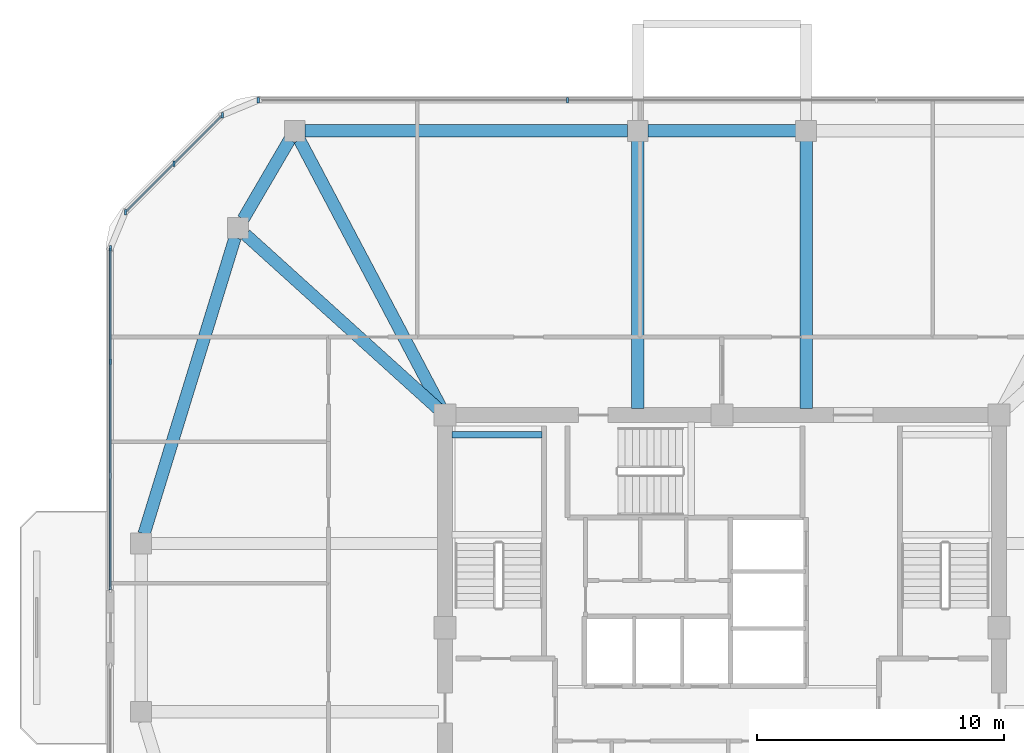
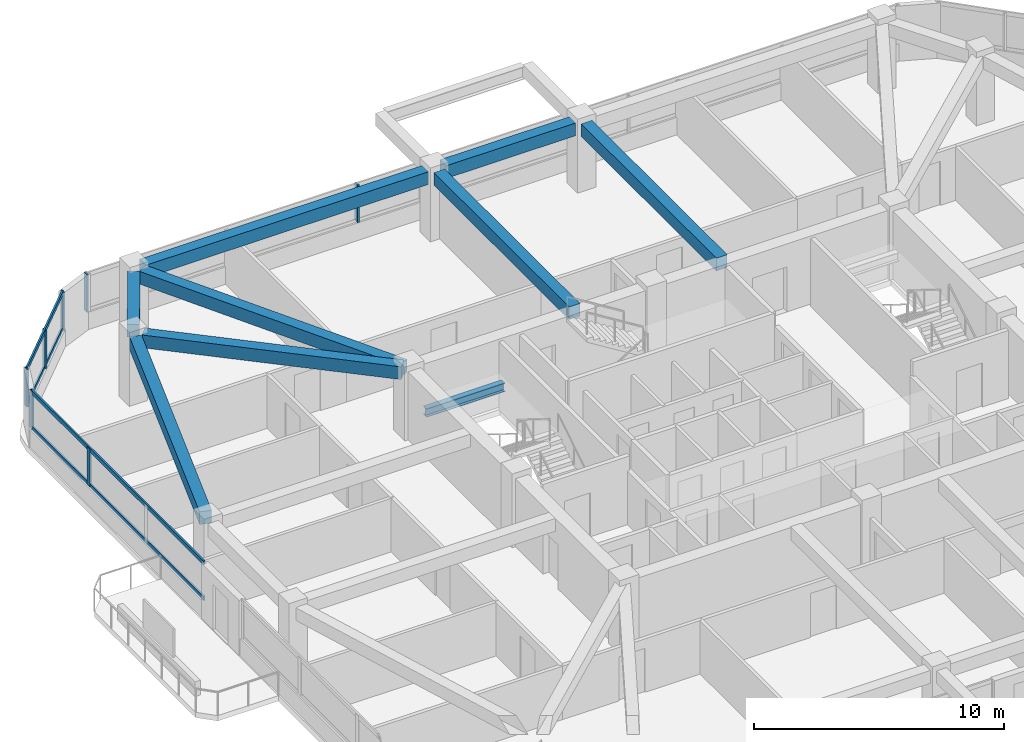
# One storey, part 4 of 13: 11 members, 9 beams, 3 elements without a shape of their own.
"""IFC4 building model written with IfcOpenShell, lengths in metres."""

from ifc_helpers import new_model, si_unit, derived_unit, direction, frame, origin, origin_2d, place, context, subcontext, project, spatial, rectangle, i_section, extrude, material, material_profile, profile_set, type_object, element, aggregate, save


model = new_model("IFC4")

# Units and contexts
model_context = context("Model", 3, precision=1e-05, world=origin(), true_north=direction((0.0, 1.0)))
body_context = subcontext(model_context, "Body", "Model", "MODEL_VIEW")
ifc_project = project(units=[si_unit("LENGTHUNIT", "METRE"), si_unit("AREAUNIT", "SQUARE_METRE"), si_unit("VOLUMEUNIT", "CUBIC_METRE"), si_unit("PLANEANGLEUNIT", "RADIAN"), si_unit("MASSUNIT", "GRAM", prefix="KILO"), derived_unit("THERMALTRANSMITTANCEUNIT", [(si_unit("POWERUNIT", "WATT"), 1), (si_unit("LENGTHUNIT", "METRE"), -2), (si_unit("THERMODYNAMICTEMPERATUREUNIT", "KELVIN"), -1)])], contexts=[model_context])

# Site, building, storey
site_placement = place(None, origin())
site = spatial("IfcSite", under=ifc_project, at=site_placement, CompositionType="ELEMENT")
building_placement = place(site_placement, origin())
building = spatial("IfcBuilding", under=site, at=building_placement, Name="Koralith Skygarden Medical Center", CompositionType="ELEMENT")
storey_placement = place(building_placement, frame((0.0, 0.0, 250.02001953125)))
storey = spatial("IfcBuildingStorey", under=building, at=storey_placement, Name="L64", CompositionType="ELEMENT", Elevation=250.02001953125)

# Curtain wall, members
ifc_material_1 = material(Name="Clear Laminated Glass", Category="glass")
curtain_wall_type = type_object("IfcCurtainWallType", Name="CW-6 Zone 5 Upper Clinical Curtain Wall", PredefinedType="NOTDEFINED", material=ifc_material_1)
curtain_wall_1_placement = place(storey_placement, origin())
curtain_wall_1 = element("IfcCurtainWall", 1, at=curtain_wall_1_placement, inside=storey, type_object=curtain_wall_type, Name="Curtain Wall CW-L64-N", PredefinedType="NOTDEFINED")
ifc_material_2 = material(Name="Aluminium 6063-T6", Category="aluminium")
ifc_material_profile_1 = material_profile(ifc_material_2, rectangle(XDim=0.0830078125, YDim=0.219970703125, at=origin_2d()), Name="MUL83X220")
ifc_profile_set_1 = profile_set([ifc_material_profile_1], Name="Aluminium 6063-T6")
member_type_1 = type_object("IfcMemberType", Name="CW-6 Extruded Mullion 83x220", PredefinedType="MULLION", material=ifc_profile_set_1)
member_1_placement = place(storey_placement, frame((30.751953125, 47.219970703125, 0.85009765625), z_axis=(0.0, 0.0, 1.0), x_axis=(1.0, 0.0, 0.0)))
member_1 = element("IfcMember", 2, at=member_1_placement, type_object=member_type_1, Name="CW-L64-N Mullion 3", PredefinedType="MULLION", context=body_context, shape_type="SweptSolid", body=[
    extrude(rectangle(XDim=0.0830078125, YDim=0.219970703125, at=origin_2d()), origin(), (0.0, 0.0, 1.0), 1.83984375),
])
member_2_placement = place(storey_placement, frame((18.2548828125, 47.219970703125, 0.85009765625), z_axis=(0.0, 0.0, 1.0), x_axis=(1.0, 0.0, 0.0)))
member_2 = element("IfcMember", 3, at=member_2_placement, type_object=member_type_1, Name="CW-L64-N Mullion 4", PredefinedType="MULLION", context=body_context, shape_type="SweptSolid", body=[
    extrude(rectangle(XDim=0.0830078125, YDim=0.219970703125, at=origin_2d()), origin(), (0.0, 0.0, 1.0), 1.83984375),
])
aggregate(curtain_wall_1, [member_1, member_2])

curtain_wall_2_placement = place(storey_placement, origin())
curtain_wall_2 = element("IfcCurtainWall", 4, at=curtain_wall_2_placement, inside=storey, type_object=curtain_wall_type, Name="Curtain Wall CW-L64-NW", PredefinedType="NOTDEFINED")
member_3_placement = place(storey_placement, frame((16.803955078125, 46.618896484375, 0.85009765625), z_axis=(0.0, 0.0, 1.0), x_axis=(1.0, 0.0, 0.0)))
member_3 = element("IfcMember", 5, at=member_3_placement, type_object=member_type_1, Name="CW-L64-NW Mullion 1", PredefinedType="MULLION", context=body_context, shape_type="SweptSolid", body=[
    extrude(rectangle(XDim=0.0830078125, YDim=0.219970703125, at=origin_2d()), origin(), (0.0, 0.0, 1.0), 1.83984375),
])
member_4_placement = place(storey_placement, frame((14.842041015625, 44.656982421875, 0.85009765625), z_axis=(0.0, 0.0, 1.0), x_axis=(1.0, 0.0, 0.0)))
member_4 = element("IfcMember", 6, at=member_4_placement, type_object=member_type_1, Name="CW-L64-NW Mullion 2", PredefinedType="MULLION", context=body_context, shape_type="SweptSolid", body=[
    extrude(rectangle(XDim=0.0830078125, YDim=0.219970703125, at=origin_2d()), origin(), (0.0, 0.0, 1.0), 1.83984375),
])
member_5_placement = place(storey_placement, frame((12.881103515625, 42.696044921875, 0.85009765625), z_axis=(0.0, 0.0, 1.0), x_axis=(1.0, 0.0, 0.0)))
member_5 = element("IfcMember", 7, at=member_5_placement, type_object=member_type_1, Name="CW-L64-NW Mullion 3", PredefinedType="MULLION", context=body_context, shape_type="SweptSolid", body=[
    extrude(rectangle(XDim=0.0830078125, YDim=0.219970703125, at=origin_2d()), origin(), (0.0, 0.0, 1.0), 1.83984375),
])

curtain_wall_3_placement = place(storey_placement, origin())
curtain_wall_3 = element("IfcCurtainWall", 8, at=curtain_wall_3_placement, inside=storey, type_object=curtain_wall_type, Name="Curtain Wall CW-L64-W-L", PredefinedType="NOTDEFINED")
member_6_placement = place(storey_placement, frame((12.280029296875, 41.2451171875, 0.85009765625), z_axis=(0.0, 0.0, 1.0), x_axis=(1.0, 0.0, 0.0)))
member_6 = element("IfcMember", 9, at=member_6_placement, type_object=member_type_1, Name="CW-L64-W-L Mullion 1", PredefinedType="MULLION", context=body_context, shape_type="SweptSolid", body=[
    extrude(rectangle(XDim=0.0830078125, YDim=0.219970703125, at=origin_2d()), origin(), (0.0, 0.0, 1.0), 1.83984375),
])
member_7_placement = place(storey_placement, frame((12.280029296875, 36.64306640625, 0.85009765625), z_axis=(0.0, 0.0, 1.0), x_axis=(1.0, 0.0, 0.0)))
member_7 = element("IfcMember", 10, at=member_7_placement, type_object=member_type_1, Name="CW-L64-W-L Mullion 2", PredefinedType="MULLION", context=body_context, shape_type="SweptSolid", body=[
    extrude(rectangle(XDim=0.0830078125, YDim=0.219970703125, at=origin_2d()), origin(), (0.0, 0.0, 1.0), 1.83984375),
])

# Member
ifc_material_profile_2 = material_profile(ifc_material_2, rectangle(XDim=0.077880859375, YDim=0.197998046875, at=origin_2d()), Name="TRN78X198")
ifc_profile_set_2 = profile_set([ifc_material_profile_2], Name="Aluminium 6063-T6")
member_type_2 = type_object("IfcMemberType", Name="CW-6 Thermal Transom 78x198", PredefinedType="USERDEFINED", material=ifc_profile_set_2)
member_8_placement = place(storey_placement, frame((16.803955078125, 46.618896484375, 0.89990234375), z_axis=(-0.707106781187, -0.707106781187, 0.0), x_axis=(0.707106781187, -0.707106781187, 0.0)))
member_8 = element("IfcMember", 11, at=member_8_placement, type_object=member_type_2, Name="CW-L64-NW Transom 1", ObjectType="TRANSOM", PredefinedType="USERDEFINED", context=body_context, shape_type="SweptSolid", body=[
    extrude(rectangle(XDim=0.077880859375, YDim=0.197998046875, at=origin_2d()), origin(), (0.0, 0.0, 1.0), 5.5478515625),
])

member_9_placement = place(storey_placement, frame((16.803955078125, 46.618896484375, 2.639892578125), z_axis=(-0.707106781187, -0.707106781187, 0.0), x_axis=(0.707106781187, -0.707106781187, 0.0)))
member_9 = element("IfcMember", 12, at=member_9_placement, type_object=member_type_2, Name="CW-L64-NW Transom 2", ObjectType="TRANSOM", PredefinedType="USERDEFINED", context=body_context, shape_type="SweptSolid", body=[
    extrude(rectangle(XDim=0.077880859375, YDim=0.197998046875, at=origin_2d()), origin(), (0.0, 0.0, 1.0), 5.5478515625),
])

aggregate(curtain_wall_2, [member_3, member_4, member_5, member_8, member_9])

member_10_placement = place(storey_placement, frame((12.280029296875, 41.2451171875, 0.89990234375), z_axis=(0.0, -1.0, 0.0), x_axis=(1.0, 0.0, 0.0)))
member_10 = element("IfcMember", 13, at=member_10_placement, type_object=member_type_2, Name="CW-L64-W-L Transom 1", ObjectType="TRANSOM", PredefinedType="USERDEFINED", context=body_context, shape_type="SweptSolid", body=[
    extrude(rectangle(XDim=0.077880859375, YDim=0.197998046875, at=origin_2d()), origin(), (0.0, 0.0, 1.0), 13.80517578125),
])

member_11_placement = place(storey_placement, frame((12.280029296875, 41.2451171875, 2.639892578125), z_axis=(0.0, -1.0, 0.0), x_axis=(1.0, 0.0, 0.0)))
member_11 = element("IfcMember", 14, at=member_11_placement, type_object=member_type_2, Name="CW-L64-W-L Transom 2", ObjectType="TRANSOM", PredefinedType="USERDEFINED", context=body_context, shape_type="SweptSolid", body=[
    extrude(rectangle(XDim=0.077880859375, YDim=0.197998046875, at=origin_2d()), origin(), (0.0, 0.0, 1.0), 13.80517578125),
])

aggregate(curtain_wall_3, [member_6, member_7, member_10, member_11])

# Beams
ifc_material_3 = material(Name="Steel ASTM A992 Grade 50", Category="steel")
ifc_material_profile_3 = material_profile(ifc_material_3, i_section(OverallWidth=0.260009765625, OverallDepth=0.4150390625, WebThickness=0.010009765625, FlangeThickness=0.016845703125, at=origin_2d()), Name="W16X67")
ifc_profile_set_3 = profile_set([ifc_material_profile_3], Name="Steel ASTM A992 Grade 50")
beam_type_1 = type_object("IfcBeamType", Name="Clinical Floor Joist W16X67", PredefinedType="JOIST", material=ifc_profile_set_3)
beam_1_placement = place(storey_placement, frame((26.080078125, 33.699951171875, 1.39208984375), z_axis=(1.0, 0.0, 0.0), x_axis=(0.0, 1.0, 0.0)))
element("IfcBeam", 15, at=beam_1_placement, inside=storey, type_object=beam_type_1, Name="L64 Stair ST1 Half-Landing Support Beam 1B", PredefinedType="JOIST", context=body_context, shape_type="SweptSolid", body=[
    extrude(i_section(OverallWidth=0.260009765625, OverallDepth=0.4150390625, WebThickness=0.010009765625, FlangeThickness=0.016845703125, at=origin_2d()), origin(), (0.0, 0.0, 1.0), 3.639892578125),
])
ifc_material_4 = material(Name="Concrete C45/55", Category="concrete")
ifc_material_profile_4 = material_profile(ifc_material_4, rectangle(XDim=0.5, YDim=0.6201171875, at=origin_2d()), Name="RCB500X620")
ifc_profile_set_4 = profile_set([ifc_material_profile_4], Name="Concrete C45/55")
beam_type_2 = type_object("IfcBeamType", Name="Upper Radial Collector Beam RCB500X620", PredefinedType="BEAM", material=ifc_profile_set_4)
for number, where, z_axis, x_axis, name in (
    (16, (40.39990234375, 34.75, 3.010009765625), (0.0, 1.0, 0.0), (-1.0, 0.0, 0.0), "L64 Radial Collector Beam RB-12"),
    (17, (33.60009765625, 34.75, 3.010009765625), (0.0, 1.0, 0.0), (-1.0, 0.0, 0.0), "L64 Radial Collector Beam RB-13"),
):
    element("IfcBeam", number, at=place(storey_placement, frame(where, z_axis=z_axis, x_axis=x_axis)), inside=storey, type_object=beam_type_2, Name=name, PredefinedType="BEAM", context=body_context, shape_type="SweptSolid", body=[
        extrude(rectangle(XDim=0.5, YDim=0.6201171875, at=origin_2d()), origin(), (0.0, 0.0, 1.0), 10.820068359375),
    ])
beam_2_placement = place(storey_placement, frame((25.68310546875, 34.720947265625, 3.010009765625), z_axis=(-0.467256895772, 0.884121594213, 0.0), x_axis=(-0.884121594213, -0.467256895772, 0.0)))
element("IfcBeam", 18, at=beam_2_placement, inside=storey, type_object=beam_type_2, Name="L64 Radial Collector Beam RB-14", PredefinedType="BEAM", context=body_context, shape_type="SweptSolid", body=[
    extrude(rectangle(XDim=0.5, YDim=0.6201171875, at=origin_2d()), origin(), (0.0, 0.0, 1.0), 12.3251953125),
])
beam_3_placement = place(storey_placement, frame((25.614990234375, 34.66796875, 3.010009765625), z_axis=(-0.741747768548, 0.670678945438, 0.0), x_axis=(-0.670678945438, -0.741747768548, 0.0)))
element("IfcBeam", 19, at=beam_3_placement, inside=storey, type_object=beam_type_2, Name="L64 Radial Collector Beam RB-15", PredefinedType="BEAM", context=body_context, shape_type="SweptSolid", body=[
    extrude(rectangle(XDim=0.5, YDim=0.6201171875, at=origin_2d()), origin(), (0.0, 0.0, 1.0), 10.611572265625),
])
ifc_material_profile_5 = material_profile(ifc_material_4, rectangle(XDim=0.5, YDim=0.6201171875, at=origin_2d()), Name="RCB500X620")
ifc_profile_set_5 = profile_set([ifc_material_profile_5], Name="Concrete C45/55")
beam_type_3 = type_object("IfcBeamType", Name="Zone 4-5 Spandrel Beam RCB500X620", PredefinedType="SPANDREL", material=ifc_profile_set_5)
beam_4_placement = place(storey_placement, frame((39.989990234375, 45.97998046875, 3.010009765625), z_axis=(-1.0, 0.0, 0.0), x_axis=(0.0, -1.0, 0.0)))
element("IfcBeam", 20, at=beam_4_placement, inside=storey, type_object=beam_type_3, Name="L64 Perimeter Spandrel Beam SP-12", PredefinedType="SPANDREL", context=body_context, shape_type="SweptSolid", body=[
    extrude(rectangle(XDim=0.5, YDim=0.6201171875, at=origin_2d()), origin(), (0.0, 0.0, 1.0), 5.97998046875),
])
beam_5_placement = place(storey_placement, frame((33.18994140625, 45.97998046875, 3.010009765625), z_axis=(-1.0, 0.0, 0.0), x_axis=(0.0, -1.0, 0.0)))
element("IfcBeam", 21, at=beam_5_placement, inside=storey, type_object=beam_type_3, Name="L64 Perimeter Spandrel Beam SP-13", PredefinedType="SPANDREL", context=body_context, shape_type="SweptSolid", body=[
    extrude(rectangle(XDim=0.5, YDim=0.6201171875, at=origin_2d()), origin(), (0.0, 0.0, 1.0), 13.0478515625),
])
beam_6_placement = place(storey_placement, frame((19.52490234375, 45.6259765625, 3.010009765625), z_axis=(-0.50473571007, -0.863273921175, 0.0), x_axis=(0.863273921175, -0.50473571007, 0.0)))
element("IfcBeam", 22, at=beam_6_placement, inside=storey, type_object=beam_type_3, Name="L64 Perimeter Spandrel Beam SP-14", PredefinedType="SPANDREL", context=body_context, shape_type="SweptSolid", body=[
    extrude(rectangle(XDim=0.5, YDim=0.6201171875, at=origin_2d()), origin(), (0.0, 0.0, 1.0), 3.720703125),
])
beam_7_placement = place(storey_placement, frame((17.320068359375, 41.66796875, 3.010009765625), z_axis=(-0.293738023424, -0.955885962652, 0.0), x_axis=(0.955885962652, -0.293738023424, 0.0)))
element("IfcBeam", 23, at=beam_7_placement, inside=storey, type_object=beam_type_3, Name="L64 Perimeter Spandrel Beam SP-15", PredefinedType="SPANDREL", context=body_context, shape_type="SweptSolid", body=[
    extrude(rectangle(XDim=0.5, YDim=0.6201171875, at=origin_2d()), origin(), (0.0, 0.0, 1.0), 12.52880859375),
])

save(model, "model.ifc")
